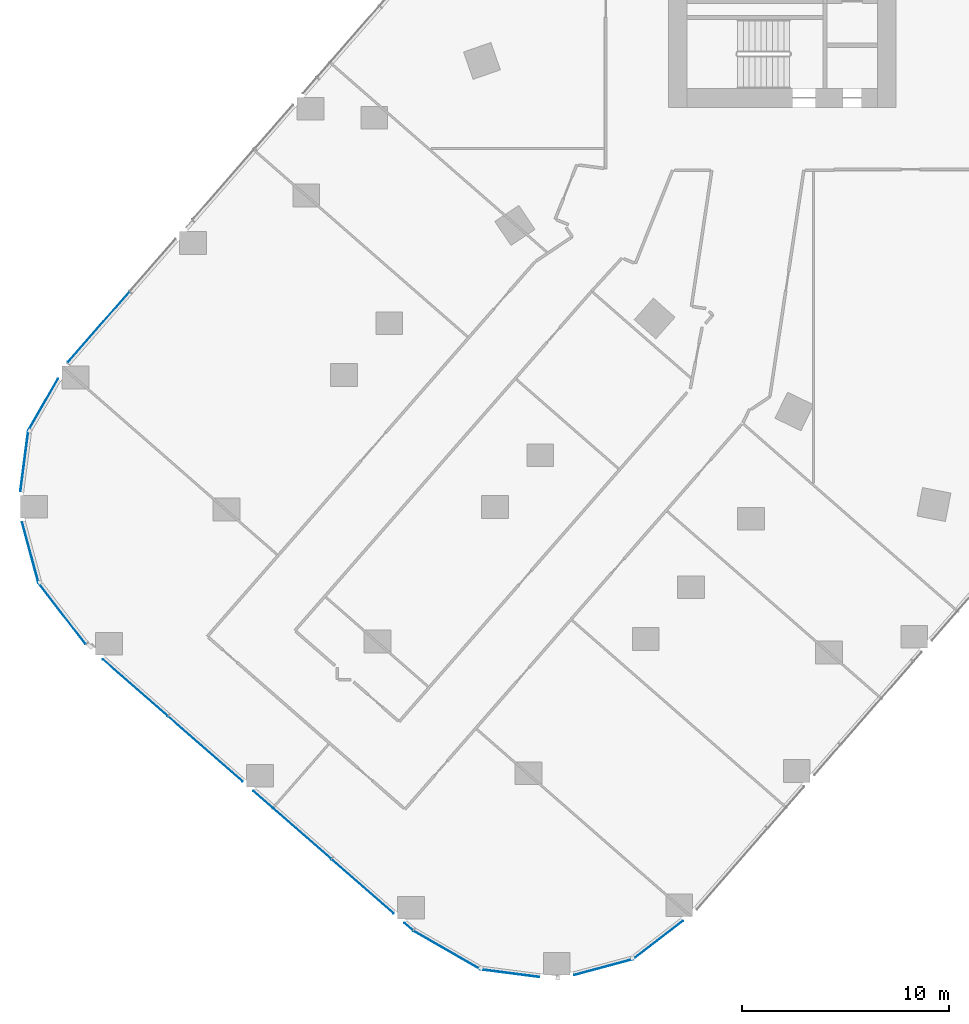
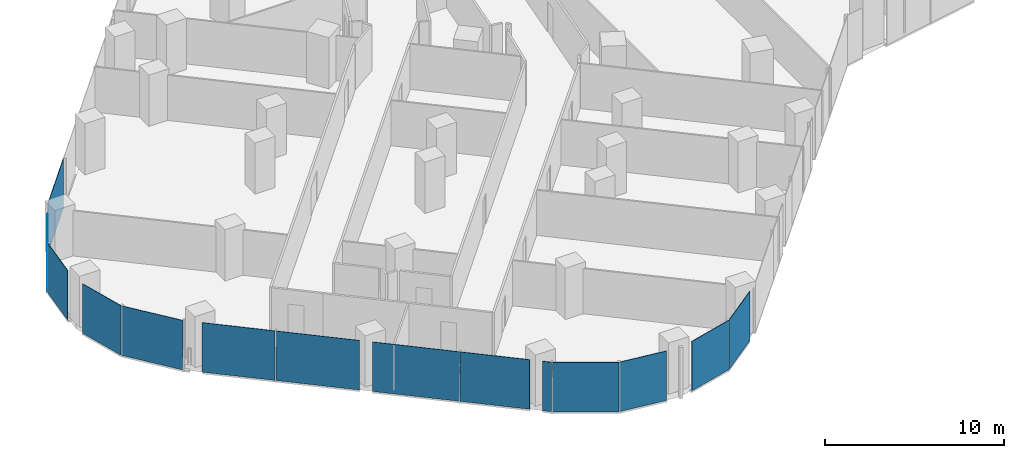
# One storey, part 18 of 38: 14 plates, 10 elements without a shape of their own.
"""IFC4 building model written with IfcOpenShell, lengths in metres."""

from ifc_helpers import new_model, si_unit, direction, frame, origin, origin_2d, place, context, subcontext, project, spatial, rectangle, extrude, material, layer, layer_set, type_object, element, aggregate, save


model = new_model("IFC4")

# Units and contexts
model_context = context("Model", 3, precision=1e-05, world=origin(), true_north=direction((0.0, 1.0)))
body_context = subcontext(model_context, "Body", "Model", "MODEL_VIEW")
ifc_project = project(units=[si_unit("LENGTHUNIT", "METRE"), si_unit("AREAUNIT", "SQUARE_METRE"), si_unit("VOLUMEUNIT", "CUBIC_METRE"), si_unit("PLANEANGLEUNIT", "RADIAN"), si_unit("MASSUNIT", "GRAM", prefix="KILO")], contexts=[model_context])

# Site, building, storey
site_placement = place(None, origin())
site = spatial("IfcSite", under=ifc_project, at=site_placement, CompositionType="ELEMENT")
building_placement = place(site_placement, origin())
building = spatial("IfcBuilding", under=site, at=building_placement, Name="Orlundy Tower", CompositionType="ELEMENT")
storey_placement = place(building_placement, frame((0.0, 0.0, 65.800048828125)))
storey = spatial("IfcBuildingStorey", under=building, at=storey_placement, Name="L15", CompositionType="ELEMENT", Elevation=65.800048828125)

# Curtain wall, plate
ifc_material_1 = material(Name="Aluminium bronze anodised", Category="aluminium")
curtain_wall_type = type_object("IfcCurtainWallType", Name="CW1 wall", PredefinedType="NOTDEFINED", material=ifc_material_1)
curtain_wall_1_placement = place(storey_placement, origin())
curtain_wall_1 = element("IfcCurtainWall", 1, at=curtain_wall_1_placement, inside=storey, type_object=curtain_wall_type, Name="CW1 run 03", PredefinedType="NOTDEFINED")
ifc_material_2 = material(Name="Tinted glass", Category="glass")
ifc_layer = layer(ifc_material_2, 0.031982421875)
ifc_layer_set = layer_set([ifc_layer], Name="CW1 glass panel 32")
plate_type = type_object("IfcPlateType", Name="CW1 glass panel 32", PredefinedType="CURTAIN_PANEL", material=ifc_layer_set)
plate_1_placement = place(storey_placement, frame((-19.51318359375, -52.286865234375, -0.280029296875), z_axis=(0.0, 0.0, 1.0), x_axis=(-0.79239325108, -0.610010602893, 0.0)))
plate_1 = element("IfcPlate", 2, at=plate_1_placement, type_object=plate_type, Name="CW1 panel", PredefinedType="CURTAIN_PANEL", context=body_context, shape_type="SweptSolid", body=[
    extrude(rectangle(XDim=3.045654296875, YDim=0.031982421875, at=origin_2d()), origin(), (0.0, 0.0, 1.0), 3.3798828125),
])
aggregate(curtain_wall_1, [plate_1])

curtain_wall_2_placement = place(storey_placement, origin())
curtain_wall_2 = element("IfcCurtainWall", 3, at=curtain_wall_2_placement, inside=storey, type_object=curtain_wall_type, Name="CW1 run 04", PredefinedType="NOTDEFINED")
plate_2_placement = place(storey_placement, frame((-22.141357421875, -53.598876953125, -0.280029296875), z_axis=(0.0, 0.0, 1.0), x_axis=(-0.965587098839, -0.26007990033, 0.0)))
plate_2 = element("IfcPlate", 4, at=plate_2_placement, type_object=plate_type, Name="CW1 panel", PredefinedType="CURTAIN_PANEL", context=body_context, shape_type="SweptSolid", body=[
    extrude(rectangle(XDim=2.944580078125, YDim=0.031982421875, at=origin_2d()), origin(), (0.0, 0.0, 1.0), 3.3798828125),
])
aggregate(curtain_wall_2, [plate_2])

curtain_wall_3_placement = place(storey_placement, origin())
curtain_wall_3 = element("IfcCurtainWall", 5, at=curtain_wall_3_placement, inside=storey, type_object=curtain_wall_type, Name="CW1 run 05", PredefinedType="NOTDEFINED")
plate_3_placement = place(storey_placement, frame((-26.682861328125, -53.89501953125, -0.280029296875), z_axis=(0.0, 0.0, 1.0), x_axis=(-0.991651478458, 0.128947063839, 0.0)))
plate_3 = element("IfcPlate", 6, at=plate_3_placement, type_object=plate_type, Name="CW1 panel", PredefinedType="CURTAIN_PANEL", context=body_context, shape_type="SweptSolid", body=[
    extrude(rectangle(XDim=2.863525390625, YDim=0.031982421875, at=origin_2d()), origin(), (0.0, 0.0, 1.0), 3.3798828125),
])
aggregate(curtain_wall_3, [plate_3])

curtain_wall_4_placement = place(storey_placement, origin())
curtain_wall_4 = element("IfcCurtainWall", 7, at=curtain_wall_4_placement, inside=storey, type_object=curtain_wall_type, Name="CW1 run 06", PredefinedType="NOTDEFINED")
plate_4_placement = place(storey_placement, frame((-29.71923828125, -52.780029296875, -0.280029296875), z_axis=(0.0, 0.0, 1.0), x_axis=(-0.866728479616, 0.498780254844, 0.0)))
plate_4 = element("IfcPlate", 8, at=plate_4_placement, type_object=plate_type, Name="CW1 panel", PredefinedType="CURTAIN_PANEL", context=body_context, shape_type="SweptSolid", body=[
    extrude(rectangle(XDim=3.730712890625, YDim=0.031982421875, at=origin_2d()), origin(), (0.0, 0.0, 1.0), 3.3798828125),
])
aggregate(curtain_wall_4, [plate_4])

# Curtain wall, plates
curtain_wall_5_placement = place(storey_placement, origin())
curtain_wall_5 = element("IfcCurtainWall", 9, at=curtain_wall_5_placement, inside=storey, type_object=curtain_wall_type, Name="CW1 run 07", PredefinedType="NOTDEFINED")
plate_5_placement = place(storey_placement, frame((-31.57421875, -51.647705078125, -0.280029296875), z_axis=(0.0, 0.0, 1.0), x_axis=(-0.752789052597, 0.658261834143, 0.0)))
plate_5 = element("IfcPlate", 10, at=plate_5_placement, type_object=plate_type, Name="CW1 panel", PredefinedType="CURTAIN_PANEL", context=body_context, shape_type="SweptSolid", body=[
    extrude(rectangle(XDim=0.52490234375, YDim=0.031982421875, at=origin_2d()), origin(), (0.0, 0.0, 1.0), 3.3798828125),
])
plate_6_placement = place(storey_placement, frame((-33.81103515625, -49.69189453125, -0.280029296875), z_axis=(0.0, 0.0, 1.0), x_axis=(-0.752789052597, 0.658261834143, 0.0)))
plate_6 = element("IfcPlate", 11, at=plate_6_placement, type_object=plate_type, Name="CW1 panel", PredefinedType="CURTAIN_PANEL", context=body_context, shape_type="SweptSolid", body=[
    extrude(rectangle(XDim=3.964111328125, YDim=0.031982421875, at=origin_2d()), origin(), (0.0, 0.0, 1.0), 3.3798828125),
])
plate_7_placement = place(storey_placement, frame((-37.207275390625, -46.72216796875, -0.280029296875), z_axis=(0.0, 0.0, 1.0), x_axis=(-0.752789052597, 0.658261834143, 0.0)))
plate_7 = element("IfcPlate", 12, at=plate_7_placement, type_object=plate_type, Name="CW1 panel", PredefinedType="CURTAIN_PANEL", context=body_context, shape_type="SweptSolid", body=[
    extrude(rectangle(XDim=4.958984375, YDim=0.031982421875, at=origin_2d()), origin(), (0.0, 0.0, 1.0), 3.3798828125),
])
plate_8_placement = place(storey_placement, frame((-41.4140625, -43.04345703125, -0.280029296875), z_axis=(0.0, 0.0, 1.0), x_axis=(-0.752789052597, 0.658261834143, 0.0)))
plate_8 = element("IfcPlate", 13, at=plate_8_placement, type_object=plate_type, Name="CW1 panel", PredefinedType="CURTAIN_PANEL", context=body_context, shape_type="SweptSolid", body=[
    extrude(rectangle(XDim=4.763916015625, YDim=0.031982421875, at=origin_2d()), origin(), (0.0, 0.0, 1.0), 3.3798828125),
])
plate_9_placement = place(storey_placement, frame((-44.810302734375, -40.073974609375, -0.280029296875), z_axis=(0.0, 0.0, 1.0), x_axis=(-0.752789052597, 0.658261834143, 0.0)))
plate_9 = element("IfcPlate", 14, at=plate_9_placement, type_object=plate_type, Name="CW1 panel", PredefinedType="CURTAIN_PANEL", context=body_context, shape_type="SweptSolid", body=[
    extrude(rectangle(XDim=4.1591796875, YDim=0.031982421875, at=origin_2d()), origin(), (0.0, 0.0, 1.0), 3.3798828125),
])
aggregate(curtain_wall_5, [plate_5, plate_6, plate_7, plate_8, plate_9])

# Curtain wall, plate
curtain_wall_6_placement = place(storey_placement, origin())
curtain_wall_6 = element("IfcCurtainWall", 15, at=curtain_wall_6_placement, inside=storey, type_object=curtain_wall_type, Name="CW1 run 08", PredefinedType="NOTDEFINED")
plate_10_placement = place(storey_placement, frame((-48.34326171875, -36.49462890625, -0.280029296875), z_axis=(0.0, 0.0, 1.0), x_axis=(-0.609880211285, 0.792493613781, 0.0)))
plate_10 = element("IfcPlate", 16, at=plate_10_placement, type_object=plate_type, Name="CW1 panel", PredefinedType="CURTAIN_PANEL", context=body_context, shape_type="SweptSolid", body=[
    extrude(rectangle(XDim=3.73095703125, YDim=0.031982421875, at=origin_2d()), origin(), (0.0, 0.0, 1.0), 3.3798828125),
])
aggregate(curtain_wall_6, [plate_10])

curtain_wall_7_placement = place(storey_placement, origin())
curtain_wall_7 = element("IfcCurtainWall", 17, at=curtain_wall_7_placement, inside=storey, type_object=curtain_wall_type, Name="CW1 run 09", PredefinedType="NOTDEFINED")
plate_11_placement = place(storey_placement, frame((-49.877685546875, -33.544677734375, -0.280029296875), z_axis=(0.0, 0.0, 1.0), x_axis=(-0.260331417091, 0.965519317919, 0.0)))
plate_11 = element("IfcPlate", 18, at=plate_11_placement, type_object=plate_type, Name="CW1 panel", PredefinedType="CURTAIN_PANEL", context=body_context, shape_type="SweptSolid", body=[
    extrude(rectangle(XDim=3.04833984375, YDim=0.031982421875, at=origin_2d()), origin(), (0.0, 0.0, 1.0), 3.3798828125),
])
aggregate(curtain_wall_7, [plate_11])

curtain_wall_8_placement = place(storey_placement, origin())
curtain_wall_8 = element("IfcCurtainWall", 19, at=curtain_wall_8_placement, inside=storey, type_object=curtain_wall_type, Name="CW1 run 010", PredefinedType="NOTDEFINED")
plate_12_placement = place(storey_placement, frame((-50.1669921875, -29.103759765625, -0.280029296875), z_axis=(0.0, 0.0, 1.0), x_axis=(0.129246900831, 0.991612443763, 0.0)))
plate_12 = element("IfcPlate", 20, at=plate_12_placement, type_object=plate_type, Name="CW1 panel", PredefinedType="CURTAIN_PANEL", context=body_context, shape_type="SweptSolid", body=[
    extrude(rectangle(XDim=2.96337890625, YDim=0.031982421875, at=origin_2d()), origin(), (0.0, 0.0, 1.0), 3.3798828125),
])
aggregate(curtain_wall_8, [plate_12])

curtain_wall_9_placement = place(storey_placement, origin())
curtain_wall_9 = element("IfcCurtainWall", 21, at=curtain_wall_9_placement, inside=storey, type_object=curtain_wall_type, Name="CW1 run 011", PredefinedType="NOTDEFINED")
plate_13_placement = place(storey_placement, frame((-49.25732421875, -26.3857421875, -0.280029296875), z_axis=(0.0, 0.0, 1.0), x_axis=(0.498577567738, 0.866845089361, 0.0)))
plate_13 = element("IfcPlate", 22, at=plate_13_placement, type_object=plate_type, Name="CW1 panel", PredefinedType="CURTAIN_PANEL", context=body_context, shape_type="SweptSolid", body=[
    extrude(rectangle(XDim=2.881103515625, YDim=0.031982421875, at=origin_2d()), origin(), (0.0, 0.0, 1.0), 3.3798828125),
])
aggregate(curtain_wall_9, [plate_13])

curtain_wall_10_placement = place(storey_placement, origin())
curtain_wall_10 = element("IfcCurtainWall", 23, at=curtain_wall_10_placement, inside=storey, type_object=curtain_wall_type, Name="CW1 run 012", PredefinedType="NOTDEFINED")
plate_14_placement = place(storey_placement, frame((-46.571044921875, -22.627197265625, -0.280029296875), z_axis=(0.0, 0.0, 1.0), x_axis=(0.658273153933, 0.752779154075, 0.0)))
plate_14 = element("IfcPlate", 24, at=plate_14_placement, type_object=plate_type, Name="CW1 panel", PredefinedType="CURTAIN_PANEL", context=body_context, shape_type="SweptSolid", body=[
    extrude(rectangle(XDim=4.50537109375, YDim=0.031982421875, at=origin_2d()), origin(), (0.0, 0.0, 1.0), 3.3798828125),
])
aggregate(curtain_wall_10, [plate_14])

save(model, "model.ifc")
